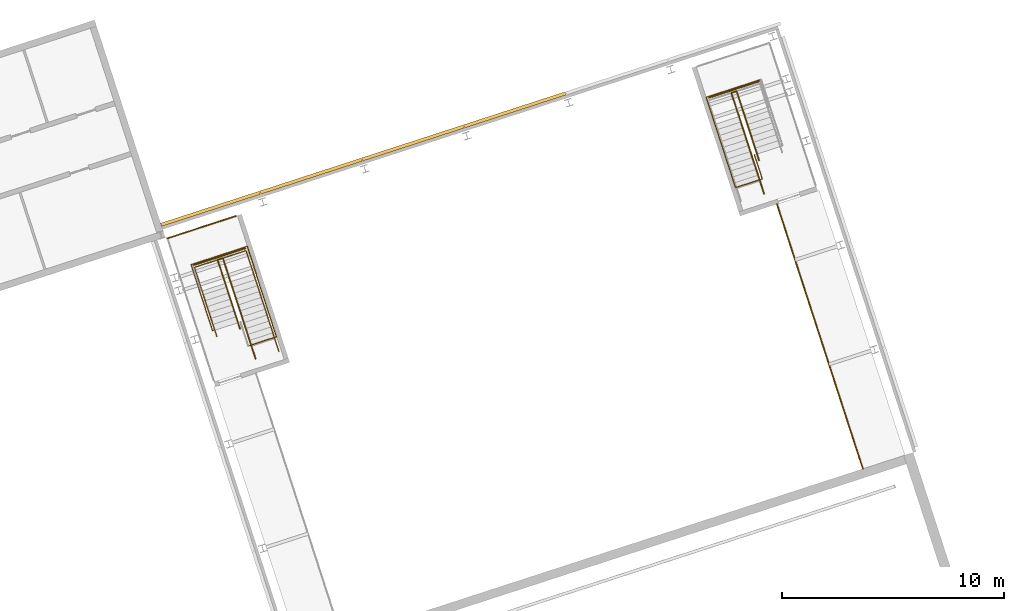
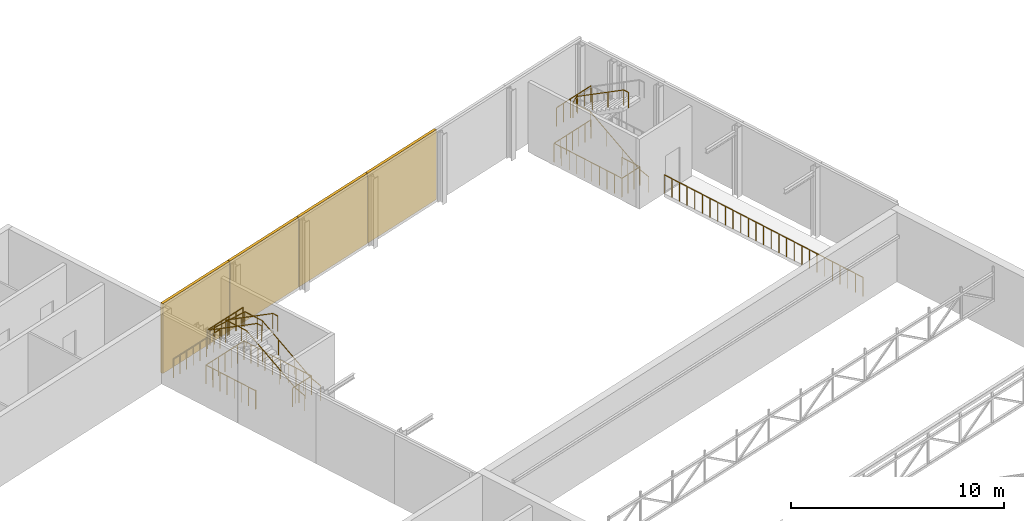
# One storey, part 78 of 81: 9 railings, 4 coverings.
"""IFC4 building model written with IfcOpenShell, lengths in metres."""

from ifc_helpers import new_model, si_unit, direction, frame, origin, origin_2d, place, context, subcontext, project, spatial, polyline, circle, outline, extrude, material, layer, layer_set, type_object, element, save


model = new_model("IFC4")

# Units and contexts
model_context = context("Model", 3, precision=1e-05, world=origin(), true_north=direction((0.0, 1.0)))
body_context = subcontext(model_context, "Body", "Model", "MODEL_VIEW")
ifc_project = project(units=[si_unit("LENGTHUNIT", "METRE"), si_unit("AREAUNIT", "SQUARE_METRE"), si_unit("VOLUMEUNIT", "CUBIC_METRE"), si_unit("PLANEANGLEUNIT", "RADIAN"), si_unit("MASSUNIT", "GRAM", prefix="KILO")], contexts=[model_context])

# Site, building, storey
site_placement = place(None, origin())
site = spatial("IfcSite", under=ifc_project, at=site_placement, CompositionType="ELEMENT")
building_placement = place(site_placement, origin())
building = spatial("IfcBuilding", under=site, at=building_placement, Name="Tuart Plaza Theatre", CompositionType="ELEMENT")
storey_placement = place(building_placement, frame((0.0, 0.0, 17.5)))
storey = spatial("IfcBuildingStorey", under=building, at=storey_placement, Name="L04", CompositionType="ELEMENT", Elevation=17.5)

# Coverings
ifc_material_1 = material(Name="Zinc")
ifc_layer = layer(ifc_material_1, 0.14990234375)
ifc_layer_set = layer_set([ifc_layer], Name="COVERING-ZINC-RAINSCREEN150")
covering_type = type_object("IfcCoveringType", Name="COVERING-ZINC-RAINSCREEN150", PredefinedType="CLADDING", material=ifc_layer_set)
covering_1_placement = place(storey_placement, origin())
element("IfcCovering", 1, at=covering_1_placement, inside=storey, type_object=covering_type, Name="CL30", PredefinedType="CLADDING", context=body_context, shape_type="SweptSolid", body=[
    extrude(outline(polyline([(35.150634765625, 88.18701171875), (39.59521484375, 89.631103515625), (39.6416015625, 89.48828125), (35.197021484375, 88.044189453125), (35.150634765625, 88.18701171875)])), origin(), (0.0, 0.0, 1.0), 4.0),
])
covering_2_placement = place(storey_placement, origin())
element("IfcCovering", 2, at=covering_2_placement, inside=storey, type_object=covering_type, Name="CL31", PredefinedType="CLADDING", context=body_context, shape_type="SweptSolid", body=[
    extrude(outline(polyline([(39.6142578125, 89.63720703125), (44.192138671875, 91.12451171875), (44.23828125, 90.98193359375), (39.66064453125, 89.494384765625), (39.6142578125, 89.63720703125)])), origin(), (0.0, 0.0, 1.0), 4.0),
])
covering_3_placement = place(storey_placement, origin())
element("IfcCovering", 3, at=covering_3_placement, inside=storey, type_object=covering_type, Name="CL32", PredefinedType="CLADDING", context=body_context, shape_type="SweptSolid", body=[
    extrude(outline(polyline([(44.211181640625, 91.130859375), (48.788818359375, 92.6181640625), (48.835205078125, 92.4755859375), (44.25732421875, 90.988037109375), (44.211181640625, 91.130859375)])), origin(), (0.0, 0.0, 1.0), 4.0),
])
covering_4_placement = place(storey_placement, origin())
element("IfcCovering", 4, at=covering_4_placement, inside=storey, type_object=covering_type, Name="CL33", PredefinedType="CLADDING", context=body_context, shape_type="SweptSolid", body=[
    extrude(outline(polyline([(48.807861328125, 92.624267578125), (53.385498046875, 94.11181640625), (53.431884765625, 93.968994140625), (48.854248046875, 92.481689453125), (48.807861328125, 92.624267578125)])), origin(), (0.0, 0.0, 1.0), 4.0),
])

# Railings
ifc_material_2 = material(Name="Steel Grade C350L0", Category="steel")
railing_type_1 = type_object("IfcRailingType", Name="RAILING Guard 1100", PredefinedType="GUARDRAIL", material=ifc_material_2)
railing_1_placement = place(storey_placement, frame((37.5380859375, 83.363525390625, 0.0)))
element("IfcRailing", 5, at=railing_1_placement, inside=storey, type_object=railing_type_1, Name="GR61", PredefinedType="GUARDRAIL", context=body_context, shape_type="SweptSolid", body=[
    extrude(circle(Radius=0.02490234375, at=origin_2d()), frame((0.0, 0.0, 1.0751953125), z_axis=(-0.951351351351, -0.308108108108, 0.0), x_axis=(0.308108108108, -0.951351351351, 0.0)), (0.0, 0.0, 1.0), 0.045166015625),
    extrude(circle(Radius=0.02490234375, at=origin_2d()), frame((-0.04296875, -0.013916015625, 1.0751953125), z_axis=(-0.30901175762, 0.951058217804, 0.0), x_axis=(-0.951058217804, -0.30901175762, 0.0)), (0.0, 0.0, 1.0), 3.119873046875),
    extrude(circle(Radius=0.02490234375, at=origin_2d()), frame((-1.007080078125, 2.953369140625, 1.0751953125), z_axis=(0.951065031201, 0.308990786962, 0.0), x_axis=(-0.308990786962, 0.951065031201, 0.0)), (0.0, 0.0, 1.0), 2.6650390625),
    extrude(circle(Radius=0.02490234375, at=origin_2d()), frame((1.527587890625, 3.77685546875, 1.0751953125), z_axis=(0.309115126356, -0.951024625684, 0.0), x_axis=(0.951024625684, 0.309115126356, 0.0)), (0.0, 0.0, 1.0), 1.330078125),
    extrude(circle(Radius=0.02490234375, at=origin_2d()), frame((1.938720703125, 2.511962890625, 1.0751953125), z_axis=(-0.951860557857, -0.306531366089, 0.0), x_axis=(0.306531366089, -0.951860557857, 0.0)), (0.0, 0.0, 1.0), 0.01513671875),
    extrude(circle(Radius=0.02490234375, at=origin_2d()), frame((1.92431640625, 2.50732421875, 1.0751953125), z_axis=(0.309018704887, -0.951055960514, 0.0), x_axis=(0.951055960514, 0.309018704887, 0.0)), (0.0, 0.0, 1.0), 2.949951171875),
    extrude(circle(Radius=0.02490234375, at=origin_2d()), frame((2.8359375, -0.29833984375, 1.0751953125), z_axis=(-0.951051671908, -0.309031903466, 0.0), x_axis=(0.309031903466, -0.951051671908, 0.0)), (0.0, 0.0, 1.0), 1.324951171875),
    extrude(circle(Radius=0.02001953125, at=origin_2d()), origin(), (0.0, 0.0, 1.0), 1.050048828125),
    extrude(circle(Radius=0.02001953125, at=origin_2d()), frame((-0.04296875, -0.013916015625, 0.0)), (0.0, 0.0, 1.0), 1.050048828125),
    extrude(circle(Radius=0.02001953125, at=origin_2d()), frame((-0.1806640625, 0.409912109375, 0.0)), (0.0, 0.0, 1.0), 1.050048828125),
    extrude(circle(Radius=0.02001953125, at=origin_2d()), frame((-0.318359375, 0.833984375, 0.0)), (0.0, 0.0, 1.0), 1.050048828125),
    extrude(circle(Radius=0.02001953125, at=origin_2d()), frame((-0.4560546875, 1.2578125, 0.0)), (0.0, 0.0, 1.0), 1.050048828125),
    extrude(circle(Radius=0.02001953125, at=origin_2d()), frame((-0.593994140625, 1.681640625, 0.0)), (0.0, 0.0, 1.0), 1.050048828125),
    extrude(circle(Radius=0.02001953125, at=origin_2d()), frame((-0.731689453125, 2.10546875, 0.0)), (0.0, 0.0, 1.0), 1.050048828125),
    extrude(circle(Radius=0.02001953125, at=origin_2d()), frame((-0.869384765625, 2.529541015625, 0.0)), (0.0, 0.0, 1.0), 1.050048828125),
    extrude(circle(Radius=0.02001953125, at=origin_2d()), frame((-1.007080078125, 2.953369140625, 0.0)), (0.0, 0.0, 1.0), 1.050048828125),
    extrude(circle(Radius=0.02001953125, at=origin_2d()), frame((-0.584716796875, 3.090576171875, 0.0)), (0.0, 0.0, 1.0), 1.050048828125),
    extrude(circle(Radius=0.02001953125, at=origin_2d()), frame((-0.162109375, 3.227783203125, 0.0)), (0.0, 0.0, 1.0), 1.050048828125),
    extrude(circle(Radius=0.02001953125, at=origin_2d()), frame((0.26025390625, 3.365234375, 0.0)), (0.0, 0.0, 1.0), 1.050048828125),
    extrude(circle(Radius=0.02001953125, at=origin_2d()), frame((0.6826171875, 3.50244140625, 0.0)), (0.0, 0.0, 1.0), 1.050048828125),
    extrude(circle(Radius=0.02001953125, at=origin_2d()), frame((1.105224609375, 3.6396484375, 0.0)), (0.0, 0.0, 1.0), 1.050048828125),
    extrude(circle(Radius=0.02001953125, at=origin_2d()), frame((1.527587890625, 3.77685546875, 0.0)), (0.0, 0.0, 1.0), 1.050048828125),
    extrude(circle(Radius=0.02001953125, at=origin_2d()), frame((1.66455078125, 3.355224609375, 0.0)), (0.0, 0.0, 1.0), 1.050048828125),
    extrude(circle(Radius=0.02001953125, at=origin_2d()), frame((1.8017578125, 2.93359375, 0.0)), (0.0, 0.0, 1.0), 1.050048828125),
    extrude(circle(Radius=0.02001953125, at=origin_2d()), frame((1.938720703125, 2.511962890625, 0.0)), (0.0, 0.0, 1.0), 1.050048828125),
    extrude(circle(Radius=0.02001953125, at=origin_2d()), frame((1.92431640625, 2.50732421875, 0.0)), (0.0, 0.0, 1.0), 1.050048828125),
    extrude(circle(Radius=0.02001953125, at=origin_2d()), frame((2.076171875, 2.039794921875, 0.0)), (0.0, 0.0, 1.0), 1.050048828125),
    extrude(circle(Radius=0.02001953125, at=origin_2d()), frame((2.228271484375, 1.572021484375, 0.0)), (0.0, 0.0, 1.0), 1.050048828125),
    extrude(circle(Radius=0.02001953125, at=origin_2d()), frame((2.380126953125, 1.1044921875, 0.0)), (0.0, 0.0, 1.0), 1.050048828125),
    extrude(circle(Radius=0.02001953125, at=origin_2d()), frame((2.531982421875, 0.636962890625, 0.0)), (0.0, 0.0, 1.0), 1.050048828125),
    extrude(circle(Radius=0.02001953125, at=origin_2d()), frame((2.68408203125, 0.169189453125, 0.0)), (0.0, 0.0, 1.0), 1.050048828125),
    extrude(circle(Radius=0.02001953125, at=origin_2d()), frame((2.8359375, -0.29833984375, 0.0)), (0.0, 0.0, 1.0), 1.050048828125),
    extrude(circle(Radius=0.02001953125, at=origin_2d()), frame((2.416015625, -0.434814453125, 0.0)), (0.0, 0.0, 1.0), 1.050048828125),
    extrude(circle(Radius=0.02001953125, at=origin_2d()), frame((1.995849609375, -0.5712890625, 0.0)), (0.0, 0.0, 1.0), 1.050048828125),
    extrude(circle(Radius=0.02001953125, at=origin_2d()), frame((1.575927734375, -0.707763671875, 0.0)), (0.0, 0.0, 1.0), 1.050048828125),
])
railing_2_placement = place(storey_placement, frame((38.967041015625, 87.055908203125, 2.0)))
element("IfcRailing", 6, at=railing_2_placement, inside=storey, type_object=railing_type_1, Name="GR66", PredefinedType="GUARDRAIL", context=body_context, shape_type="SweptSolid", body=[
    extrude(circle(Radius=0.02490234375, at=origin_2d()), frame((0.0, 0.0, 1.0751953125), z_axis=(-0.951062826572, -0.308997572666, 0.0), x_axis=(0.308997572666, -0.951062826572, 0.0)), (0.0, 0.0, 1.0), 2.4951171875),
    extrude(circle(Radius=0.02001953125, at=origin_2d()), origin(), (0.0, 0.0, 1.0), 1.050048828125),
    extrude(circle(Radius=0.02001953125, at=origin_2d()), frame((-0.474609375, -0.154296875, 0.0)), (0.0, 0.0, 1.0), 1.050048828125),
    extrude(circle(Radius=0.02001953125, at=origin_2d()), frame((-0.94921875, -0.308349609375, 0.0)), (0.0, 0.0, 1.0), 1.050048828125),
    extrude(circle(Radius=0.02001953125, at=origin_2d()), frame((-1.423828125, -0.462646484375, 0.0)), (0.0, 0.0, 1.0), 1.050048828125),
    extrude(circle(Radius=0.02001953125, at=origin_2d()), frame((-1.8984375, -0.61669921875, 0.0)), (0.0, 0.0, 1.0), 1.050048828125),
    extrude(circle(Radius=0.02001953125, at=origin_2d()), frame((-2.373046875, -0.77099609375, 0.0)), (0.0, 0.0, 1.0), 1.050048828125),
])
railing_3_placement = place(storey_placement, frame((61.919921875, 91.280517578125, 0.0)))
element("IfcRailing", 7, at=railing_3_placement, inside=storey, type_object=railing_type_1, Name="GR85", PredefinedType="GUARDRAIL", context=body_context, shape_type="SweptSolid", body=[
    extrude(circle(Radius=0.02490234375, at=origin_2d()), frame((0.0, 0.0, 1.0751953125), z_axis=(0.308990492345, -0.951065126918, 0.0), x_axis=(0.951065126918, 0.308990492345, 0.0)), (0.0, 0.0, 1.0), 1.1552734375),
    extrude(circle(Radius=0.02490234375, at=origin_2d()), frame((0.35693359375, -1.0986328125, 1.0751953125), z_axis=(-0.95106810125, -0.308981337277, 0.0), x_axis=(0.308981337277, -0.95106810125, 0.0)), (0.0, 0.0, 1.0), 1.26513671875),
    extrude(circle(Radius=0.02490234375, at=origin_2d()), frame((-0.84619140625, -1.489501953125, 1.0751953125), z_axis=(-0.308997073695, 0.951062988686, 0.0), x_axis=(-0.951062988686, -0.308997073695, 0.0)), (0.0, 0.0, 1.0), 4.280029296875),
    extrude(circle(Radius=0.02490234375, at=origin_2d()), frame((-2.168701171875, 2.5810546875, 1.0751953125), z_axis=(0.951059697131, 0.309007204598, 0.0), x_axis=(-0.309007204598, 0.951059697131, 0.0)), (0.0, 0.0, 1.0), 2.58984375),
    extrude(circle(Radius=0.02001953125, at=origin_2d()), origin(), (0.0, 0.0, 1.0), 1.050048828125),
    extrude(circle(Radius=0.02001953125, at=origin_2d()), frame((0.118896484375, -0.3662109375, 0.0)), (0.0, 0.0, 1.0), 1.050048828125),
    extrude(circle(Radius=0.02001953125, at=origin_2d()), frame((0.238037109375, -0.732421875, 0.0)), (0.0, 0.0, 1.0), 1.050048828125),
    extrude(circle(Radius=0.02001953125, at=origin_2d()), frame((0.35693359375, -1.0986328125, 0.0)), (0.0, 0.0, 1.0), 1.050048828125),
    extrude(circle(Radius=0.02001953125, at=origin_2d()), frame((-0.044189453125, -1.22900390625, 0.0)), (0.0, 0.0, 1.0), 1.050048828125),
    extrude(circle(Radius=0.02001953125, at=origin_2d()), frame((-0.445068359375, -1.359130859375, 0.0)), (0.0, 0.0, 1.0), 1.050048828125),
    extrude(circle(Radius=0.02001953125, at=origin_2d()), frame((-0.84619140625, -1.489501953125, 0.0)), (0.0, 0.0, 1.0), 1.050048828125),
    extrude(circle(Radius=0.02001953125, at=origin_2d()), frame((-0.9931640625, -1.037109375, 0.0)), (0.0, 0.0, 1.0), 1.050048828125),
    extrude(circle(Radius=0.02001953125, at=origin_2d()), frame((-1.14013671875, -0.5849609375, 0.0)), (0.0, 0.0, 1.0), 1.050048828125),
    extrude(circle(Radius=0.02001953125, at=origin_2d()), frame((-1.287109375, -0.132568359375, 0.0)), (0.0, 0.0, 1.0), 1.050048828125),
    extrude(circle(Radius=0.02001953125, at=origin_2d()), frame((-1.43408203125, 0.319580078125, 0.0)), (0.0, 0.0, 1.0), 1.050048828125),
    extrude(circle(Radius=0.02001953125, at=origin_2d()), frame((-1.580810546875, 0.77197265625, 0.0)), (0.0, 0.0, 1.0), 1.050048828125),
    extrude(circle(Radius=0.02001953125, at=origin_2d()), frame((-1.727783203125, 1.22412109375, 0.0)), (0.0, 0.0, 1.0), 1.050048828125),
    extrude(circle(Radius=0.02001953125, at=origin_2d()), frame((-1.874755859375, 1.676513671875, 0.0)), (0.0, 0.0, 1.0), 1.050048828125),
    extrude(circle(Radius=0.02001953125, at=origin_2d()), frame((-2.021728515625, 2.128662109375, 0.0)), (0.0, 0.0, 1.0), 1.050048828125),
    extrude(circle(Radius=0.02001953125, at=origin_2d()), frame((-2.168701171875, 2.5810546875, 0.0)), (0.0, 0.0, 1.0), 1.050048828125),
    extrude(circle(Radius=0.02001953125, at=origin_2d()), frame((-1.75830078125, 2.71435546875, 0.0)), (0.0, 0.0, 1.0), 1.050048828125),
    extrude(circle(Radius=0.02001953125, at=origin_2d()), frame((-1.34765625, 2.847900390625, 0.0)), (0.0, 0.0, 1.0), 1.050048828125),
    extrude(circle(Radius=0.02001953125, at=origin_2d()), frame((-0.93701171875, 2.981201171875, 0.0)), (0.0, 0.0, 1.0), 1.050048828125),
    extrude(circle(Radius=0.02001953125, at=origin_2d()), frame((-0.526611328125, 3.114501953125, 0.0)), (0.0, 0.0, 1.0), 1.050048828125),
    extrude(circle(Radius=0.02001953125, at=origin_2d()), frame((-0.1162109375, 3.248046875, 0.0)), (0.0, 0.0, 1.0), 1.050048828125),
    extrude(circle(Radius=0.02001953125, at=origin_2d()), frame((0.29443359375, 3.38134765625, 0.0)), (0.0, 0.0, 1.0), 1.050048828125),
])
railing_4_placement = place(storey_placement, frame((59.880615234375, 93.85107421875, 2.0)))
element("IfcRailing", 8, at=railing_4_placement, inside=storey, type_object=railing_type_1, Name="GR90", PredefinedType="GUARDRAIL", context=body_context, shape_type="SweptSolid", body=[
    extrude(circle(Radius=0.02490234375, at=origin_2d()), frame((0.0, 0.0, 1.0751953125), z_axis=(0.951066681605, 0.308985707017, 0.0), x_axis=(-0.308985707017, 0.951066681605, 0.0)), (0.0, 0.0, 1.0), 2.420166015625),
    extrude(circle(Radius=0.02001953125, at=origin_2d()), origin(), (0.0, 0.0, 1.0), 1.050048828125),
    extrude(circle(Radius=0.02001953125, at=origin_2d()), frame((0.46044921875, 0.149658203125, 0.0)), (0.0, 0.0, 1.0), 1.050048828125),
    extrude(circle(Radius=0.02001953125, at=origin_2d()), frame((0.920654296875, 0.299072265625, 0.0)), (0.0, 0.0, 1.0), 1.050048828125),
    extrude(circle(Radius=0.02001953125, at=origin_2d()), frame((1.381103515625, 0.44873046875, 0.0)), (0.0, 0.0, 1.0), 1.050048828125),
    extrude(circle(Radius=0.02001953125, at=origin_2d()), frame((1.84130859375, 0.59814453125, 0.0)), (0.0, 0.0, 1.0), 1.050048828125),
    extrude(circle(Radius=0.02001953125, at=origin_2d()), frame((2.3017578125, 0.747802734375, 0.0)), (0.0, 0.0, 1.0), 1.050048828125),
])
railing_5_placement = place(storey_placement, frame((38.555908203125, 88.51513671875, 0.0)))
element("IfcRailing", 9, at=railing_5_placement, inside=storey, type_object=railing_type_1, Name="GR102", PredefinedType="GUARDRAIL", context=body_context, shape_type="SweptSolid", body=[
    extrude(circle(Radius=0.02490234375, at=origin_2d()), frame((0.0, 0.0, 1.0751953125), z_axis=(-0.95107087914, -0.308972786588, 0.0), x_axis=(0.308972786588, -0.95107087914, 0.0)), (0.0, 0.0, 1.0), 3.264892578125),
    extrude(circle(Radius=0.02001953125, at=origin_2d()), origin(), (0.0, 0.0, 1.0), 1.050048828125),
    extrude(circle(Radius=0.02001953125, at=origin_2d()), frame((-0.443603515625, -0.14404296875, 0.0)), (0.0, 0.0, 1.0), 1.050048828125),
    extrude(circle(Radius=0.02001953125, at=origin_2d()), frame((-0.88720703125, -0.288330078125, 0.0)), (0.0, 0.0, 1.0), 1.050048828125),
    extrude(circle(Radius=0.02001953125, at=origin_2d()), frame((-1.330810546875, -0.432373046875, 0.0)), (0.0, 0.0, 1.0), 1.050048828125),
    extrude(circle(Radius=0.02001953125, at=origin_2d()), frame((-1.7744140625, -0.576416015625, 0.0)), (0.0, 0.0, 1.0), 1.050048828125),
    extrude(circle(Radius=0.02001953125, at=origin_2d()), frame((-2.218017578125, -0.720458984375, 0.0)), (0.0, 0.0, 1.0), 1.050048828125),
    extrude(circle(Radius=0.02001953125, at=origin_2d()), frame((-2.66162109375, -0.86474609375, 0.0)), (0.0, 0.0, 1.0), 1.050048828125),
    extrude(circle(Radius=0.02001953125, at=origin_2d()), frame((-3.105224609375, -1.0087890625, 0.0)), (0.0, 0.0, 1.0), 1.050048828125),
])
railing_6_placement = place(storey_placement, frame((66.81640625, 77.115234375, 0.0)))
element("IfcRailing", 10, at=railing_6_placement, inside=storey, type_object=railing_type_1, Name="GR120", PredefinedType="GUARDRAIL", context=body_context, shape_type="SweptSolid", body=[
    extrude(circle(Radius=0.02490234375, at=origin_2d()), frame((0.0, 0.0, 1.0751953125), z_axis=(-0.309017011458, 0.951056510744, 0.0), x_axis=(-0.951056510744, -0.309017011458, 0.0)), (0.0, 0.0, 1.0), 12.550048828125),
    extrude(circle(Radius=0.02001953125, at=origin_2d()), origin(), (0.0, 0.0, 1.0), 1.050048828125),
    extrude(circle(Radius=0.02001953125, at=origin_2d()), frame((-0.149169921875, 0.458984375, 0.0)), (0.0, 0.0, 1.0), 1.050048828125),
    extrude(circle(Radius=0.02001953125, at=origin_2d()), frame((-0.29833984375, 0.918212890625, 0.0)), (0.0, 0.0, 1.0), 1.050048828125),
    extrude(circle(Radius=0.02001953125, at=origin_2d()), frame((-0.447509765625, 1.377197265625, 0.0)), (0.0, 0.0, 1.0), 1.050048828125),
    extrude(circle(Radius=0.02001953125, at=origin_2d()), frame((-0.5966796875, 1.836181640625, 0.0)), (0.0, 0.0, 1.0), 1.050048828125),
    extrude(circle(Radius=0.02001953125, at=origin_2d()), frame((-0.745849609375, 2.29541015625, 0.0)), (0.0, 0.0, 1.0), 1.050048828125),
    extrude(circle(Radius=0.02001953125, at=origin_2d()), frame((-0.89501953125, 2.75439453125, 0.0)), (0.0, 0.0, 1.0), 1.050048828125),
    extrude(circle(Radius=0.02001953125, at=origin_2d()), frame((-1.044189453125, 3.21337890625, 0.0)), (0.0, 0.0, 1.0), 1.050048828125),
    extrude(circle(Radius=0.02001953125, at=origin_2d()), frame((-1.193359375, 3.672607421875, 0.0)), (0.0, 0.0, 1.0), 1.050048828125),
    extrude(circle(Radius=0.02001953125, at=origin_2d()), frame((-1.342529296875, 4.131591796875, 0.0)), (0.0, 0.0, 1.0), 1.050048828125),
    extrude(circle(Radius=0.02001953125, at=origin_2d()), frame((-1.49169921875, 4.590576171875, 0.0)), (0.0, 0.0, 1.0), 1.050048828125),
    extrude(circle(Radius=0.02001953125, at=origin_2d()), frame((-1.640869140625, 5.0498046875, 0.0)), (0.0, 0.0, 1.0), 1.050048828125),
    extrude(circle(Radius=0.02001953125, at=origin_2d()), frame((-1.7900390625, 5.5087890625, 0.0)), (0.0, 0.0, 1.0), 1.050048828125),
    extrude(circle(Radius=0.02001953125, at=origin_2d()), frame((-1.93896484375, 5.9677734375, 0.0)), (0.0, 0.0, 1.0), 1.050048828125),
    extrude(circle(Radius=0.02001953125, at=origin_2d()), frame((-2.088134765625, 6.427001953125, 0.0)), (0.0, 0.0, 1.0), 1.050048828125),
    extrude(circle(Radius=0.02001953125, at=origin_2d()), frame((-2.2373046875, 6.885986328125, 0.0)), (0.0, 0.0, 1.0), 1.050048828125),
    extrude(circle(Radius=0.02001953125, at=origin_2d()), frame((-2.386474609375, 7.34521484375, 0.0)), (0.0, 0.0, 1.0), 1.050048828125),
    extrude(circle(Radius=0.02001953125, at=origin_2d()), frame((-2.53564453125, 7.80419921875, 0.0)), (0.0, 0.0, 1.0), 1.050048828125),
    extrude(circle(Radius=0.02001953125, at=origin_2d()), frame((-2.684814453125, 8.26318359375, 0.0)), (0.0, 0.0, 1.0), 1.050048828125),
    extrude(circle(Radius=0.02001953125, at=origin_2d()), frame((-2.833984375, 8.722412109375, 0.0)), (0.0, 0.0, 1.0), 1.050048828125),
    extrude(circle(Radius=0.02001953125, at=origin_2d()), frame((-2.983154296875, 9.181396484375, 0.0)), (0.0, 0.0, 1.0), 1.050048828125),
    extrude(circle(Radius=0.02001953125, at=origin_2d()), frame((-3.13232421875, 9.640380859375, 0.0)), (0.0, 0.0, 1.0), 1.050048828125),
    extrude(circle(Radius=0.02001953125, at=origin_2d()), frame((-3.281494140625, 10.099609375, 0.0)), (0.0, 0.0, 1.0), 1.050048828125),
    extrude(circle(Radius=0.02001953125, at=origin_2d()), frame((-3.4306640625, 10.55859375, 0.0)), (0.0, 0.0, 1.0), 1.050048828125),
    extrude(circle(Radius=0.02001953125, at=origin_2d()), frame((-3.579833984375, 11.017578125, 0.0)), (0.0, 0.0, 1.0), 1.050048828125),
    extrude(circle(Radius=0.02001953125, at=origin_2d()), frame((-3.72900390625, 11.476806640625, 0.0)), (0.0, 0.0, 1.0), 1.050048828125),
    extrude(circle(Radius=0.02001953125, at=origin_2d()), frame((-3.878173828125, 11.935791015625, 0.0)), (0.0, 0.0, 1.0), 1.050048828125),
])
ifc_material_3 = material(Name="Steel Grade C350L0", Category="steel")
railing_type_2 = type_object("IfcRailingType", Name="RAILING Handrail 900", PredefinedType="HANDRAIL", material=ifc_material_3)
railing_7_placement = place(storey_placement, frame((39.436767578125, 82.066650390625, 0.0)))
element("IfcRailing", 11, at=railing_7_placement, inside=storey, type_object=railing_type_2, Name="HR37", PredefinedType="HANDRAIL", context=body_context, shape_type="SweptSolid", body=[
    extrude(circle(Radius=0.0224609375, at=origin_2d()), frame((0.0, 0.0, 0.87744140625), z_axis=(-0.297859866657, 0.916311010847, 0.267681959114), x_axis=(-0.951016131768, -0.309141257546, 0.0)), (0.0, 0.0, 1.0), 0.623046875),
    extrude(circle(Radius=0.0224609375, at=origin_2d()), frame((-0.185546875, 0.57080078125, 1.044189453125), z_axis=(-0.265513415955, 0.817247297236, 0.511477742536), x_axis=(-0.951065520339, -0.308989281404, 0.0)), (0.0, 0.0, 1.0), 3.584228515625),
    extrude(circle(Radius=0.0224609375, at=origin_2d()), frame((-1.13720703125, 3.5, 2.87744140625), z_axis=(-0.309161347536, 0.951009600998, 0.0), x_axis=(-0.951009600998, -0.309161347536, 0.0)), (0.0, 0.0, 1.0), 1.10009765625),
    extrude(circle(Radius=0.0224609375, at=origin_2d()), frame((-1.477294921875, 4.546142578125, 2.87744140625), z_axis=(-0.705135226707, -0.229005890688, 0.671074223978), x_axis=(0.30888714147, -0.951098698261, 0.0)), (0.0, 0.0, 1.0), 0.3369140625),
    extrude(circle(Radius=0.0224609375, at=origin_2d()), frame((-1.71484375, 4.468994140625, 3.103515625), z_axis=(0.265468554482, -0.817243290635, 0.511507429559), x_axis=(0.951080416459, 0.308943427553, 0.0)), (0.0, 0.0, 1.0), 3.468017578125),
    extrude(circle(Radius=0.0224609375, at=origin_2d()), frame((-0.794189453125, 1.634765625, 4.87744140625), z_axis=(0.309141257546, -0.951016131768, 0.0), x_axis=(0.951016131768, 0.309141257546, 0.0)), (0.0, 0.0, 1.0), 0.300048828125),
    extrude(circle(Radius=0.01513671875, at=origin_2d()), origin(), (0.0, 0.0, 1.0), 0.85498046875),
    extrude(circle(Radius=0.01513671875, at=origin_2d()), frame((-0.185546875, 0.57080078125, 0.166748046875)), (0.0, 0.0, 1.0), 0.85498046875),
    extrude(circle(Radius=0.01513671875, at=origin_2d()), frame((-0.502685546875, 1.547119140625, 0.77783203125)), (0.0, 0.0, 1.0), 0.85498046875),
    extrude(circle(Radius=0.01513671875, at=origin_2d()), frame((-0.820068359375, 2.523681640625, 1.388916015625)), (0.0, 0.0, 1.0), 0.85498046875),
    extrude(circle(Radius=0.01513671875, at=origin_2d()), frame((-1.13720703125, 3.5, 2.0)), (0.0, 0.0, 1.0), 0.85498046875),
    extrude(circle(Radius=0.01513671875, at=origin_2d()), frame((-1.477294921875, 4.546142578125, 2.0)), (0.0, 0.0, 1.0), 0.85498046875),
    extrude(circle(Radius=0.01513671875, at=origin_2d()), frame((-1.71484375, 4.468994140625, 2.22607421875)), (0.0, 0.0, 1.0), 0.85498046875),
    extrude(circle(Radius=0.01513671875, at=origin_2d()), frame((-1.407958984375, 3.524169921875, 2.8173828125)), (0.0, 0.0, 1.0), 0.85498046875),
    extrude(circle(Radius=0.01513671875, at=origin_2d()), frame((-1.10107421875, 2.57958984375, 3.40869140625)), (0.0, 0.0, 1.0), 0.85498046875),
    extrude(circle(Radius=0.01513671875, at=origin_2d()), frame((-0.794189453125, 1.634765625, 4.0)), (0.0, 0.0, 1.0), 0.85498046875),
    extrude(circle(Radius=0.01513671875, at=origin_2d()), frame((-0.701416015625, 1.349365234375, 4.0)), (0.0, 0.0, 1.0), 0.85498046875),
])
railing_8_placement = place(storey_placement, frame((40.48291015625, 82.40673828125, 0.0)))
element("IfcRailing", 12, at=railing_8_placement, inside=storey, type_object=railing_type_2, Name="HR38", PredefinedType="HANDRAIL", context=body_context, shape_type="SweptSolid", body=[
    extrude(circle(Radius=0.0224609375, at=origin_2d()), frame((0.0, 0.0, 0.87744140625), z_axis=(-0.297966869269, 0.916248123003, 0.267778120672), x_axis=(-0.950977235371, -0.309260889552, 0.0)), (0.0, 0.0, 1.0), 0.622802734375),
    extrude(circle(Radius=0.0224609375, at=origin_2d()), frame((-0.185546875, 0.570556640625, 1.044189453125), z_axis=(-0.265513415955, 0.817247297236, 0.511477742536), x_axis=(-0.951065520339, -0.308989281404, 0.0)), (0.0, 0.0, 1.0), 3.584228515625),
    extrude(circle(Radius=0.0224609375, at=origin_2d()), frame((-1.13720703125, 3.499755859375, 2.87744140625), z_axis=(-0.308960600764, 0.951074837842, 0.0), x_axis=(-0.951074837842, -0.308960600764, 0.0)), (0.0, 0.0, 1.0), 1.099853515625),
    extrude(circle(Radius=0.0224609375, at=origin_2d()), frame((-1.47705078125, 4.5458984375, 2.87744140625), z_axis=(-0.947044372625, -0.307677799844, 0.091876698696), x_axis=(0.308984684145, -0.951067013919, 0.0)), (0.0, 0.0, 1.0), 2.460693359375),
    extrude(circle(Radius=0.0224609375, at=origin_2d()), frame((-3.807373046875, 3.788818359375, 3.103515625), z_axis=(0.265549265619, -0.817204632901, 0.511527296921), x_axis=(0.951048517831, 0.309041610033, 0.0)), (0.0, 0.0, 1.0), 3.468017578125),
    extrude(circle(Radius=0.0224609375, at=origin_2d()), frame((-2.886474609375, 0.954833984375, 4.87744140625), z_axis=(0.309141257546, -0.951016131768, 0.0), x_axis=(0.951016131768, 0.309141257546, 0.0)), (0.0, 0.0, 1.0), 0.300048828125),
    extrude(circle(Radius=0.01513671875, at=origin_2d()), origin(), (0.0, 0.0, 1.0), 0.85498046875),
    extrude(circle(Radius=0.01513671875, at=origin_2d()), frame((-0.185546875, 0.570556640625, 0.166748046875)), (0.0, 0.0, 1.0), 0.85498046875),
    extrude(circle(Radius=0.01513671875, at=origin_2d()), frame((-0.502685546875, 1.546875, 0.77783203125)), (0.0, 0.0, 1.0), 0.85498046875),
    extrude(circle(Radius=0.01513671875, at=origin_2d()), frame((-0.820068359375, 2.5234375, 1.388916015625)), (0.0, 0.0, 1.0), 0.85498046875),
    extrude(circle(Radius=0.01513671875, at=origin_2d()), frame((-1.13720703125, 3.499755859375, 2.0)), (0.0, 0.0, 1.0), 0.85498046875),
    extrude(circle(Radius=0.01513671875, at=origin_2d()), frame((-1.47705078125, 4.5458984375, 2.0)), (0.0, 0.0, 1.0), 0.85498046875),
    extrude(circle(Radius=0.01513671875, at=origin_2d()), frame((-2.64208984375, 4.16748046875, 2.113037109375)), (0.0, 0.0, 1.0), 0.85498046875),
    extrude(circle(Radius=0.01513671875, at=origin_2d()), frame((-3.807373046875, 3.788818359375, 2.22607421875)), (0.0, 0.0, 1.0), 0.85498046875),
    extrude(circle(Radius=0.01513671875, at=origin_2d()), frame((-3.50048828125, 2.84423828125, 2.8173828125)), (0.0, 0.0, 1.0), 0.85498046875),
    extrude(circle(Radius=0.01513671875, at=origin_2d()), frame((-3.193359375, 1.8994140625, 3.40869140625)), (0.0, 0.0, 1.0), 0.85498046875),
    extrude(circle(Radius=0.01513671875, at=origin_2d()), frame((-2.886474609375, 0.954833984375, 4.0)), (0.0, 0.0, 1.0), 0.85498046875),
    extrude(circle(Radius=0.01513671875, at=origin_2d()), frame((-2.793701171875, 0.66943359375, 4.0)), (0.0, 0.0, 1.0), 0.85498046875),
])
railing_9_placement = place(storey_placement, frame((62.36181640625, 89.515625, 0.0)))
element("IfcRailing", 13, at=railing_9_placement, inside=storey, type_object=railing_type_2, Name="HR49", PredefinedType="HANDRAIL", context=body_context, shape_type="SweptSolid", body=[
    extrude(circle(Radius=0.0224609375, at=origin_2d()), frame((0.0, 0.0, 0.87744140625), z_axis=(-0.297609553916, 0.916355108697, 0.267809387779), x_axis=(-0.951096855055, -0.308892816854, 0.0)), (0.0, 0.0, 1.0), 0.62255859375),
    extrude(circle(Radius=0.0224609375, at=origin_2d()), frame((-0.185302734375, 0.570556640625, 1.044189453125), z_axis=(-0.265561944864, 0.817255136299, 0.511440021541), x_axis=(-0.951049794196, -0.309037682104, 0.0)), (0.0, 0.0, 1.0), 3.58447265625),
    extrude(circle(Radius=0.0224609375, at=origin_2d()), frame((-1.13720703125, 3.5, 2.87744140625), z_axis=(-0.308960600764, 0.951074837842, 0.0), x_axis=(-0.951074837842, -0.308960600764, 0.0)), (0.0, 0.0, 1.0), 1.099853515625),
    extrude(circle(Radius=0.0224609375, at=origin_2d()), frame((-1.47705078125, 4.546142578125, 2.87744140625), z_axis=(0.705499316443, 0.228888895273, 0.670731382984), x_axis=(-0.308600224758, 0.951191832008, 0.0)), (0.0, 0.0, 1.0), 0.337158203125),
    extrude(circle(Radius=0.0224609375, at=origin_2d()), frame((-1.2392578125, 4.623291015625, 3.103515625), z_axis=(0.265533988883, -0.817228016156, 0.511497869359), x_axis=(0.951056341824, 0.309017531343, 0.0)), (0.0, 0.0, 1.0), 3.468017578125),
    extrude(circle(Radius=0.0224609375, at=origin_2d()), frame((-0.318359375, 1.7890625, 4.87744140625), z_axis=(0.309380609282, -0.950938293792, 0.0), x_axis=(0.950938293792, 0.309380609282, 0.0)), (0.0, 0.0, 1.0), 0.2998046875),
    extrude(circle(Radius=0.01513671875, at=origin_2d()), origin(), (0.0, 0.0, 1.0), 0.85498046875),
    extrude(circle(Radius=0.01513671875, at=origin_2d()), frame((-0.185302734375, 0.570556640625, 0.166748046875)), (0.0, 0.0, 1.0), 0.85498046875),
    extrude(circle(Radius=0.01513671875, at=origin_2d()), frame((-0.502685546875, 1.547119140625, 0.77783203125)), (0.0, 0.0, 1.0), 0.85498046875),
    extrude(circle(Radius=0.01513671875, at=origin_2d()), frame((-0.81982421875, 2.5234375, 1.388916015625)), (0.0, 0.0, 1.0), 0.85498046875),
    extrude(circle(Radius=0.01513671875, at=origin_2d()), frame((-1.13720703125, 3.5, 2.0)), (0.0, 0.0, 1.0), 0.85498046875),
    extrude(circle(Radius=0.01513671875, at=origin_2d()), frame((-1.47705078125, 4.546142578125, 2.0)), (0.0, 0.0, 1.0), 0.85498046875),
    extrude(circle(Radius=0.01513671875, at=origin_2d()), frame((-1.2392578125, 4.623291015625, 2.22607421875)), (0.0, 0.0, 1.0), 0.85498046875),
    extrude(circle(Radius=0.01513671875, at=origin_2d()), frame((-0.932373046875, 3.678466796875, 2.8173828125)), (0.0, 0.0, 1.0), 0.85498046875),
    extrude(circle(Radius=0.01513671875, at=origin_2d()), frame((-0.625244140625, 2.73388671875, 3.40869140625)), (0.0, 0.0, 1.0), 0.85498046875),
    extrude(circle(Radius=0.01513671875, at=origin_2d()), frame((-0.318359375, 1.7890625, 4.0)), (0.0, 0.0, 1.0), 0.85498046875),
    extrude(circle(Radius=0.01513671875, at=origin_2d()), frame((-0.2255859375, 1.50390625, 4.0)), (0.0, 0.0, 1.0), 0.85498046875),
])

save(model, "model.ifc")
